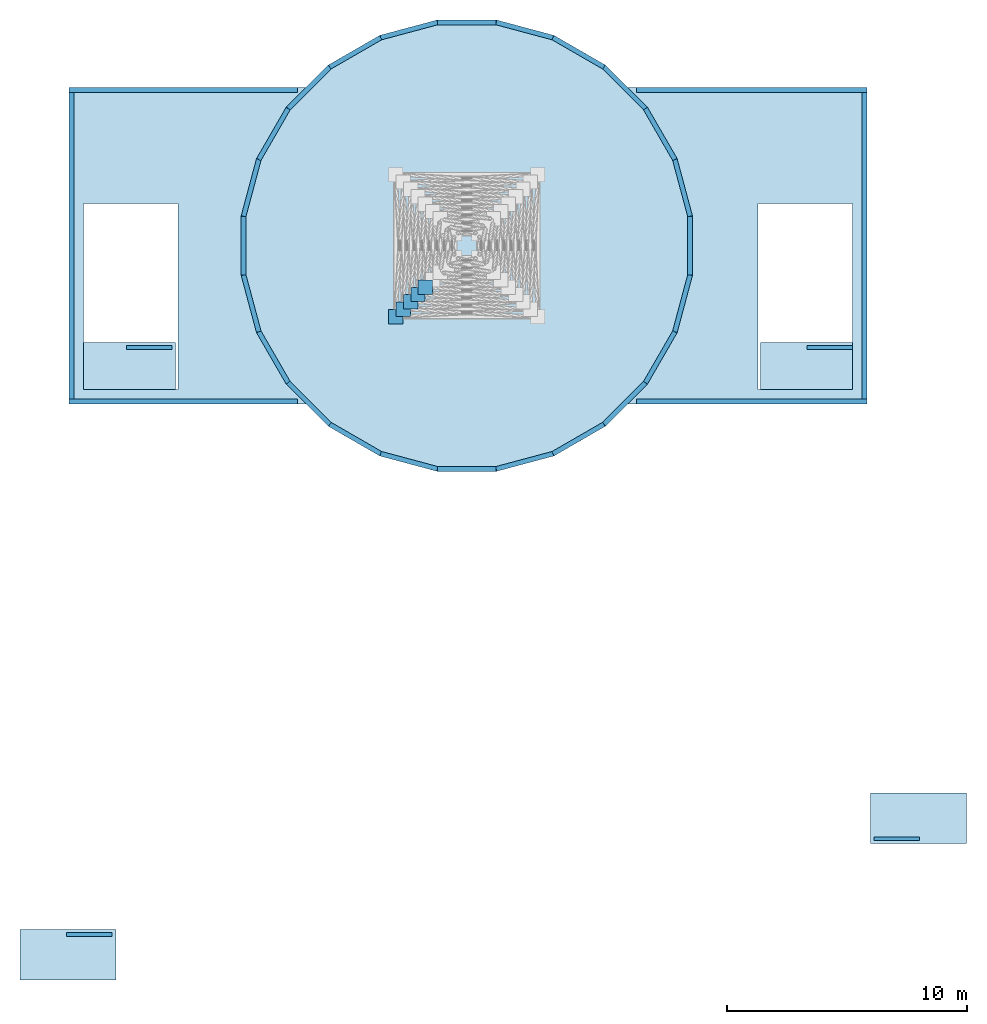
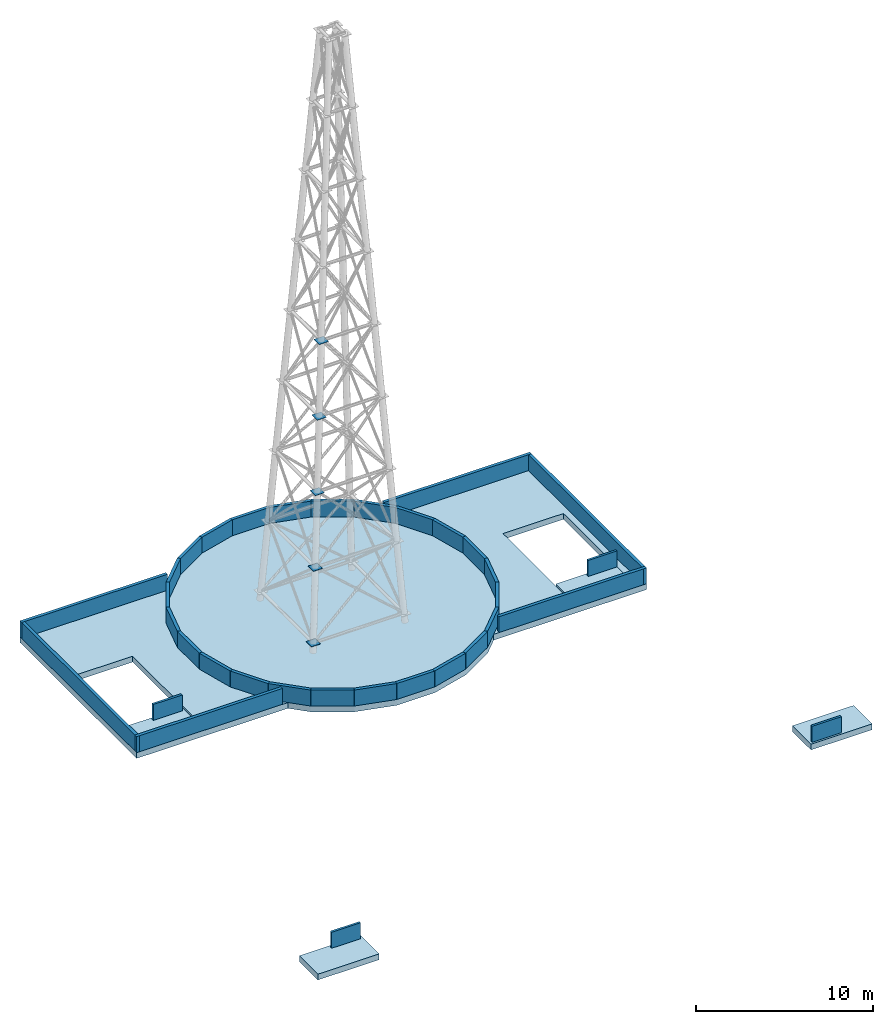
# One storey, part 3 of 6: 34 walls, 7 slabs, 5 discrete accessories.
"""IFC4 building model written with IfcOpenShell, lengths in metres."""

from ifc_helpers import new_model, si_unit, direction, frame, frame_2d, origin, origin_2d, place, context, subcontext, project, spatial, polyline, rectangle, outline, extrude, source, transform, mapped, material, layer, layer_set, type_object, element, save


model = new_model("IFC4")

# Units and contexts
model_context = context("Model", 3, precision=1e-05, world=origin(), true_north=direction((0.0, 1.0)))
body_context = subcontext(model_context, "Body", "Model", "MODEL_VIEW")
ifc_project = project(units=[si_unit("LENGTHUNIT", "METRE"), si_unit("AREAUNIT", "SQUARE_METRE"), si_unit("VOLUMEUNIT", "CUBIC_METRE"), si_unit("PLANEANGLEUNIT", "RADIAN"), si_unit("MASSUNIT", "GRAM", prefix="KILO")], contexts=[model_context])

# Site, building, storey
site_placement = place(None, origin())
site = spatial("IfcSite", under=ifc_project, at=site_placement, CompositionType="ELEMENT")
building_placement = place(site_placement, origin())
building = spatial("IfcBuilding", under=site, at=building_placement, Name="Kilnfold Tower and Market Hall", CompositionType="ELEMENT")
storey_placement = place(building_placement, frame((0.0, 0.0, 328.800048828125)))
storey = spatial("IfcBuildingStorey", under=building, at=storey_placement, Name="ROOF", CompositionType="ELEMENT", Elevation=328.800048828125)

# Slabs
ifc_material_1 = material(Name="Concrete C45", Category="concrete")
ifc_layer_1 = layer(ifc_material_1, 0.39990234375)
ifc_layer_set_1 = layer_set([ifc_layer_1], Name="Concrete C45")
slab_type_1 = type_object("IfcSlabType", Name="ROOF SLAB 400", PredefinedType="ROOF", material=ifc_layer_set_1)
shared_shape_1 = source(origin(), body_context, "Body", "SweptSolid", [
    extrude(outline(polyline([(-0.239990234375, 5.581298828125), (2.239990234375, 5.581298828125), (4.635498046875, 6.22314453125), (6.783203125, 7.463134765625), (8.536865234375, 9.216796875), (9.77685546875, 11.364501953125), (10.418701171875, 13.760009765625), (10.418701171875, 16.239990234375), (9.77685546875, 18.635498046875), (8.536865234375, 20.783203125), (6.783203125, 22.536865234375), (4.635498046875, 23.77685546875), (2.239990234375, 24.418701171875), (-0.239990234375, 24.418701171875), (-2.635498046875, 23.77685546875), (-4.783203125, 22.536865234375), (-6.536865234375, 20.783203125), (-7.77685546875, 18.635498046875), (-8.418701171875, 16.239990234375), (-8.418701171875, 13.760009765625), (-7.77685546875, 11.364501953125), (-6.536865234375, 9.216796875), (-4.783203125, 7.463134765625), (-2.635498046875, 6.22314453125), (-0.239990234375, 5.581298828125)])), origin(), (0.0, 0.0, 1.0), 0.400146484375),
])
slab_1_placement = place(storey_placement, frame((0.0, 0.0, -0.400146484375)))
element("IfcSlab", 1, at=slab_1_placement, inside=storey, type_object=slab_type_1, Name="Roof slab", PredefinedType="ROOF", context=body_context, shape_type="MappedRepresentation", body=[
    mapped(shared_shape_1, transform((0.0, 0.0, 0.0))),
])
ifc_material_2 = material(Name="Concrete C40/50", Category="concrete")
ifc_layer_2 = layer(ifc_material_2, 0.39990234375)
ifc_layer_set_2 = layer_set([ifc_layer_2], Name="Concrete C40/50")
slab_type_2 = type_object("IfcSlabType", Name="ROOF SLAB 300", PredefinedType="ROOF", material=ifc_layer_set_2)
shared_shape_2 = source(origin(), body_context, "Body", "SweptSolid", [
    extrude(outline(polyline([(-15.60009765625, 21.60009765625), (-5.72021484375, 21.60009765625), (-6.536865234375, 20.783203125), (-7.77685546875, 18.635498046875), (-8.418701171875, 16.239990234375), (-8.418701171875, 13.760009765625), (-7.77685546875, 11.364501953125), (-6.536865234375, 9.216796875), (-5.72021484375, 8.39990234375), (-15.60009765625, 8.39990234375), (-15.60009765625, 21.60009765625)]), holes=[polyline([(-15.0, 16.75), (-15.0, 9.0), (-11.050048828125, 9.0), (-11.050048828125, 16.75), (-15.0, 16.75)])]), origin(), (0.0, 0.0, 1.0), 0.400146484375),
])
slab_2_placement = place(storey_placement, frame((0.0, 0.0, -0.400146484375)))
element("IfcSlab", 2, at=slab_2_placement, inside=storey, type_object=slab_type_2, Name="Core roof slab 1", PredefinedType="ROOF", context=body_context, shape_type="MappedRepresentation", body=[
    mapped(shared_shape_2, transform((0.0, 0.0, 0.0))),
])
shared_shape_3 = source(origin(), body_context, "Body", "SweptSolid", [
    extrude(outline(polyline([(17.699951171875, 8.39990234375), (7.72021484375, 8.39990234375), (8.536865234375, 9.216796875), (9.77685546875, 11.364501953125), (10.418701171875, 13.760009765625), (10.418701171875, 16.239990234375), (9.77685546875, 18.635498046875), (8.536865234375, 20.783203125), (7.72021484375, 21.60009765625), (17.699951171875, 21.60009765625), (17.699951171875, 8.39990234375)]), holes=[polyline([(13.14990234375, 16.75), (13.14990234375, 9.0), (17.10009765625, 9.0), (17.10009765625, 16.75), (13.14990234375, 16.75)])]), origin(), (0.0, 0.0, 1.0), 0.400146484375),
])
slab_3_placement = place(storey_placement, frame((0.0, 0.0, -0.400146484375)))
element("IfcSlab", 3, at=slab_3_placement, inside=storey, type_object=slab_type_2, Name="Core roof slab 2", PredefinedType="ROOF", context=body_context, shape_type="MappedRepresentation", body=[
    mapped(shared_shape_3, transform((0.0, 0.0, 0.0))),
])
ifc_material_3 = material(Name="Concrete C40/50", Category="concrete")
ifc_layer_3 = layer(ifc_material_3, 0.39990234375)
ifc_layer_set_3 = layer_set([ifc_layer_3], Name="Concrete C40/50")
slab_type_3 = type_object("IfcSlabType", Name="CORE STAIR HEAD SLAB 400", PredefinedType="ROOF", material=ifc_layer_set_3)
shared_shape_4 = source(origin(), body_context, "Body", "SweptSolid", [
    extrude(outline(polyline([(-11.14990234375, 10.949951171875), (-11.14990234375, 9.0), (-15.0, 9.0), (-15.0, 10.949951171875), (-11.14990234375, 10.949951171875)])), origin(), (0.0, 0.0, 1.0), 0.400146484375),
])
slab_4_placement = place(storey_placement, frame((0.0, 0.0, -0.400146484375)))
element("IfcSlab", 4, at=slab_4_placement, inside=storey, type_object=slab_type_3, Name="Stair ST1 head slab", PredefinedType="ROOF", context=body_context, shape_type="MappedRepresentation", body=[
    mapped(shared_shape_4, transform((0.0, 0.0, 0.0))),
])
shared_shape_5 = source(origin(), body_context, "Body", "SweptSolid", [
    extrude(outline(polyline([(13.25, 10.949951171875), (17.10009765625, 10.949951171875), (17.10009765625, 9.0), (13.25, 9.0), (13.25, 10.949951171875)])), origin(), (0.0, 0.0, 1.0), 0.400146484375),
])
slab_5_placement = place(storey_placement, frame((0.0, 0.0, -0.400146484375)))
element("IfcSlab", 5, at=slab_5_placement, inside=storey, type_object=slab_type_3, Name="Stair ST2 head slab", PredefinedType="ROOF", context=body_context, shape_type="MappedRepresentation", body=[
    mapped(shared_shape_5, transform((0.0, 0.0, 0.0))),
])
shared_shape_6 = source(origin(), body_context, "Body", "SweptSolid", [
    extrude(outline(polyline([(-17.64990234375, -15.64990234375), (-17.64990234375, -13.550048828125), (-13.64990234375, -13.550048828125), (-13.64990234375, -15.64990234375), (-17.64990234375, -15.64990234375)])), origin(), (0.0, 0.0, 1.0), 0.400146484375),
])
slab_6_placement = place(storey_placement, frame((0.0, 0.0, -0.400146484375)))
element("IfcSlab", 6, at=slab_6_placement, inside=storey, type_object=slab_type_3, Name="Stair ST3 head slab", PredefinedType="ROOF", context=body_context, shape_type="MappedRepresentation", body=[
    mapped(shared_shape_6, transform((0.0, 0.0, 0.0))),
])
shared_shape_7 = source(origin(), body_context, "Body", "SweptSolid", [
    extrude(outline(polyline([(21.85009765625, -7.85009765625), (21.85009765625, -9.949951171875), (17.85009765625, -9.949951171875), (17.85009765625, -7.85009765625), (21.85009765625, -7.85009765625)])), origin(), (0.0, 0.0, 1.0), 0.400146484375),
])
slab_7_placement = place(storey_placement, frame((0.0, 0.0, -0.400146484375)))
element("IfcSlab", 7, at=slab_7_placement, inside=storey, type_object=slab_type_3, Name="Stair ST4 head slab", PredefinedType="ROOF", context=body_context, shape_type="MappedRepresentation", body=[
    mapped(shared_shape_7, transform((0.0, 0.0, 0.0))),
])

# Walls
ifc_material_4 = material(Name="Precast concrete C50/60", Category="concrete")
ifc_layer_4 = layer(ifc_material_4, 0.199951171875)
ifc_layer_set_4 = layer_set([ifc_layer_4], Name="Precast concrete C50/60")
wall_type_1 = type_object("IfcWallType", Name="PARAPET WALL 200", PredefinedType="PARAPET", material=ifc_layer_set_4)
shared_shape_8 = source(origin(), body_context, "Body", "SweptSolid", [
    extrude(rectangle(XDim=2.45361328125, YDim=0.199951171875, at=frame_2d((1.226806640625, 0.0))), origin(), (0.0, 0.0, 1.0), 1.099853515625),
])
for number, where, z_axis, x_axis, name in (
    (8, (-0.226806640625, 5.681396484375, 0.0), (0.0, 0.0, 1.0), (1.0, 0.0, 0.0), "Roof parapet 1"),
    (9, (2.226806640625, 5.681396484375, 0.0), (0.0, 0.0, 1.0), (0.965932063577, 0.258795766107, 0.0), "Roof parapet 2"),
    (10, (4.596923828125, 6.31640625, 0.0), (0.0, 0.0, 1.0), (0.86601158916, 0.500023926868, 0.0), "Roof parapet 3"),
    (11, (8.456787109375, 9.2783203125, 0.0), (0.0, 0.0, 1.0), (0.500023926868, 0.86601158916, 0.0), "Roof parapet 5"),
    (12, (9.68359375, 11.403076171875, 0.0), (0.0, 0.0, 1.0), (0.258795766107, 0.965932063577, 0.0), "Roof parapet 6"),
    (13, (10.318603515625, 13.773193359375, 0.0), (0.0, 0.0, 1.0), (0.0, 1.0, 0.0), "Roof parapet 7"),
    (14, (10.318603515625, 16.226806640625, 0.0), (0.0, 0.0, 1.0), (-0.258795766107, 0.965932063577, 0.0), "Roof parapet 8"),
    (15, (9.68359375, 18.596923828125, 0.0), (0.0, 0.0, 1.0), (-0.500023926868, 0.86601158916, 0.0), "Roof parapet 9"),
    (16, (6.7216796875, 22.456787109375, 0.0), (0.0, 0.0, 1.0), (-0.86601158916, 0.500023926868, 0.0), "Roof parapet 11"),
    (17, (4.596923828125, 23.68359375, 0.0), (0.0, 0.0, 1.0), (-0.965932063577, 0.258795766107, 0.0), "Roof parapet 12"),
    (18, (2.226806640625, 24.318603515625, 0.0), (0.0, 0.0, 1.0), (-1.0, 0.0, 0.0), "Roof parapet 13"),
    (19, (-0.226806640625, 24.318603515625, 0.0), (0.0, 0.0, 1.0), (-0.965932063577, -0.258795766107, 0.0), "Roof parapet 14"),
    (20, (-2.596923828125, 23.68359375, 0.0), (0.0, 0.0, 1.0), (-0.86601158916, -0.500023926868, 0.0), "Roof parapet 15"),
    (21, (-6.456787109375, 20.7216796875, 0.0), (0.0, 0.0, 1.0), (-0.500023926868, -0.86601158916, 0.0), "Roof parapet 17"),
    (22, (-7.68359375, 18.596923828125, 0.0), (0.0, 0.0, 1.0), (-0.258795766107, -0.965932063577, 0.0), "Roof parapet 18"),
    (23, (-8.318603515625, 16.226806640625, 0.0), (0.0, 0.0, 1.0), (0.0, -1.0, 0.0), "Roof parapet 19"),
    (24, (-8.318603515625, 13.773193359375, 0.0), (0.0, 0.0, 1.0), (0.258795766107, -0.965932063577, 0.0), "Roof parapet 20"),
    (25, (-7.68359375, 11.403076171875, 0.0), (0.0, 0.0, 1.0), (0.500023926868, -0.86601158916, 0.0), "Roof parapet 21"),
    (26, (-4.7216796875, 7.543212890625, 0.0), (0.0, 0.0, 1.0), (0.86601158916, -0.500023926868, 0.0), "Roof parapet 23"),
    (27, (-2.596923828125, 6.31640625, 0.0), (0.0, 0.0, 1.0), (0.965932063577, -0.258795766107, 0.0), "Roof parapet 24"),
):
    element("IfcWall", number, at=place(storey_placement, frame(where, z_axis=z_axis, x_axis=x_axis)), inside=storey, type_object=wall_type_1, Name=name, PredefinedType="PARAPET", context=body_context, shape_type="MappedRepresentation", body=[
        mapped(shared_shape_8, transform((0.0, 0.0, 0.0))),
    ])
shared_shape_9 = source(origin(), body_context, "Body", "SweptSolid", [
    extrude(rectangle(XDim=2.453857421875, YDim=0.199951171875, at=frame_2d((1.22705078125, 0.0))), origin(), (0.0, 0.0, 1.0), 1.099853515625),
])
for number, where, z_axis, x_axis, name in (
    (28, (6.7216796875, 7.543212890625, 0.0), (0.0, 0.0, 1.0), (0.707106781187, 0.707106781187, 0.0), "Roof parapet 4"),
    (29, (8.456787109375, 20.7216796875, 0.0), (0.0, 0.0, 1.0), (-0.707106781187, 0.707106781187, 0.0), "Roof parapet 10"),
    (30, (-4.7216796875, 22.456787109375, 0.0), (0.0, 0.0, 1.0), (-0.707106781187, -0.707106781187, 0.0), "Roof parapet 16"),
    (31, (-6.456787109375, 9.2783203125, 0.0), (0.0, 0.0, 1.0), (0.707106781187, -0.707106781187, 0.0), "Roof parapet 22"),
):
    element("IfcWall", number, at=place(storey_placement, frame(where, z_axis=z_axis, x_axis=x_axis)), inside=storey, type_object=wall_type_1, Name=name, PredefinedType="PARAPET", context=body_context, shape_type="MappedRepresentation", body=[
        mapped(shared_shape_9, transform((0.0, 0.0, 0.0))),
    ])
shared_shape_10 = source(origin(), body_context, "Body", "SweptSolid", [
    extrude(rectangle(XDim=9.5263671875, YDim=0.199951171875, at=frame_2d((4.76318359375, 0.0))), origin(), (0.0, 0.0, 1.0), 1.099853515625),
])
for number, where, z_axis, x_axis, name in (
    (32, (-15.60009765625, 21.5, 0.0), (0.0, 0.0, 1.0), (1.0, 0.0, 0.0), "Core roof parapet 1.1"),
    (33, (-6.07373046875, 8.5, 0.0), (0.0, 0.0, 1.0), (-1.0, 0.0, 0.0), "Core roof parapet 1.1"),
):
    element("IfcWall", number, at=place(storey_placement, frame(where, z_axis=z_axis, x_axis=x_axis)), inside=storey, type_object=wall_type_1, Name=name, PredefinedType="PARAPET", context=body_context, shape_type="MappedRepresentation", body=[
        mapped(shared_shape_10, transform((0.0, 0.0, 0.0))),
    ])
shared_shape_11 = source(origin(), body_context, "Body", "SweptSolid", [
    extrude(rectangle(XDim=13.2001953125, YDim=0.199951171875, at=frame_2d((6.60009765625, 0.0))), origin(), (0.0, 0.0, 1.0), 1.099853515625),
])
for number, where, z_axis, x_axis, name in (
    (34, (-15.5, 8.39990234375, 0.0), (0.0, 0.0, 1.0), (0.0, 1.0, 0.0), "Core roof parapet 1.2"),
    (35, (17.60009765625, 21.60009765625, 0.0), (0.0, 0.0, 1.0), (0.0, -1.0, 0.0), "Core roof parapet 2.2"),
):
    element("IfcWall", number, at=place(storey_placement, frame(where, z_axis=z_axis, x_axis=x_axis)), inside=storey, type_object=wall_type_1, Name=name, PredefinedType="PARAPET", context=body_context, shape_type="MappedRepresentation", body=[
        mapped(shared_shape_11, transform((0.0, 0.0, 0.0))),
    ])
shared_shape_12 = source(origin(), body_context, "Body", "SweptSolid", [
    extrude(rectangle(XDim=9.626220703125, YDim=0.199951171875, at=frame_2d((4.81298828125, 0.0))), origin(), (0.0, 0.0, 1.0), 1.099853515625),
])
for number, where, z_axis, x_axis, name in (
    (36, (17.699951171875, 8.5, 0.0), (0.0, 0.0, 1.0), (-1.0, 0.0, 0.0), "Core roof parapet 2.1"),
    (37, (8.07373046875, 21.5, 0.0), (0.0, 0.0, 1.0), (1.0, 0.0, 0.0), "Core roof parapet 2.1"),
):
    element("IfcWall", number, at=place(storey_placement, frame(where, z_axis=z_axis, x_axis=x_axis)), inside=storey, type_object=wall_type_1, Name=name, PredefinedType="PARAPET", context=body_context, shape_type="MappedRepresentation", body=[
        mapped(shared_shape_12, transform((0.0, 0.0, 0.0))),
    ])
ifc_material_5 = material(Name="Concrete C40/50", Category="concrete")
ifc_layer_5 = layer(ifc_material_5, 0.14990234375)
ifc_layer_set_5 = layer_set([ifc_layer_5], Name="Concrete C40/50")
wall_type_2 = type_object("IfcWallType", Name="CORE STAIR HEAD PARAPET 150", PredefinedType="PARAPET", material=ifc_layer_set_5)
shared_shape_13 = source(origin(), body_context, "Body", "SweptSolid", [
    extrude(rectangle(XDim=1.89990234375, YDim=0.14990234375, at=frame_2d((0.949951171875, 0.0))), origin(), (0.0, 0.0, 1.0), 1.099853515625),
])
for number, where, z_axis, x_axis, name in (
    (38, (-11.300048828125, 10.75, 0.0), (0.0, 0.0, 1.0), (-1.0, 0.0, 0.0), "ROOF ST1 head parapet 1"),
    (39, (-13.800048828125, -13.75, 0.0), (0.0, 0.0, 1.0), (-1.0, 0.0, 0.0), "ROOF ST3 head parapet 1"),
    (40, (18.0, -9.75, 0.0), (0.0, 0.0, 1.0), (1.0, 0.0, 0.0), "ROOF ST4 head parapet 1"),
):
    element("IfcWall", number, at=place(storey_placement, frame(where, z_axis=z_axis, x_axis=x_axis)), inside=storey, type_object=wall_type_2, Name=name, PredefinedType="PARAPET", context=body_context, shape_type="MappedRepresentation", body=[
        mapped(shared_shape_13, transform((0.0, 0.0, 0.0))),
    ])
shared_shape_14 = source(origin(), body_context, "Body", "SweptSolid", [
    extrude(rectangle(XDim=1.900146484375, YDim=0.14990234375, at=frame_2d((0.9501953125, 0.0))), origin(), (0.0, 0.0, 1.0), 1.099853515625),
])
wall_placement = place(storey_placement, frame((17.10009765625, 10.75, 0.0), z_axis=(0.0, 0.0, 1.0), x_axis=(-1.0, 0.0, 0.0)))
element("IfcWall", 41, at=wall_placement, inside=storey, type_object=wall_type_2, Name="ROOF ST2 head parapet 1", PredefinedType="PARAPET", context=body_context, shape_type="MappedRepresentation", body=[
    mapped(shared_shape_14, transform((0.0, 0.0, 0.0))),
])

# Discrete accessories
ifc_material_6 = material(Name="Steel S355", Category="steel")
ifc_layer_6 = layer(ifc_material_6, 0.02490234375)
ifc_layer_set_6 = layer_set([ifc_layer_6], Name="Steel S355")
discrete_accessory_type = type_object("IfcDiscreteAccessoryType", Name="MAST GUSSET PLATE 600X25", PredefinedType="BRACKET", material=ifc_layer_set_6)
shared_shape_15 = source(origin(), body_context, "Body", "SweptSolid", [
    extrude(rectangle(XDim=0.60009765625, YDim=0.60009765625, at=origin_2d()), origin(), (0.0, 0.0, 1.0), 0.02490234375),
])
for number, where, z_axis, x_axis, name in (
    (42, (-1.96240234375, 12.03759765625, 0.58740234375), (0.0, 0.0, 1.0), (1.0, 0.0, 0.0), "Gusset plate GP1 0.1"),
    (43, (-1.65478515625, 12.34521484375, 5.512451171875), (0.0, 0.0, 1.0), (1.0, 0.0, 0.0), "Gusset plate GP1 1.1"),
    (44, (-1.346923828125, 12.653076171875, 10.4375), (0.0, 0.0, 1.0), (1.0, 0.0, 0.0), "Gusset plate GP1 2.1"),
    (45, (-1.0390625, 12.9609375, 15.362548828125), (0.0, 0.0, 1.0), (1.0, 0.0, 0.0), "Gusset plate GP1 3.1"),
    (46, (-0.731201171875, 13.268798828125, 20.28759765625), (0.0, 0.0, 1.0), (1.0, 0.0, 0.0), "Gusset plate GP1 4.1"),
):
    element("IfcDiscreteAccessory", number, at=place(storey_placement, frame(where, z_axis=z_axis, x_axis=x_axis)), inside=storey, type_object=discrete_accessory_type, Name=name, ObjectType="GUSSET", PredefinedType="BRACKET", context=body_context, shape_type="MappedRepresentation", body=[
        mapped(shared_shape_15, transform((0.0, 0.0, 0.0))),
    ])

save(model, "model.ifc")
